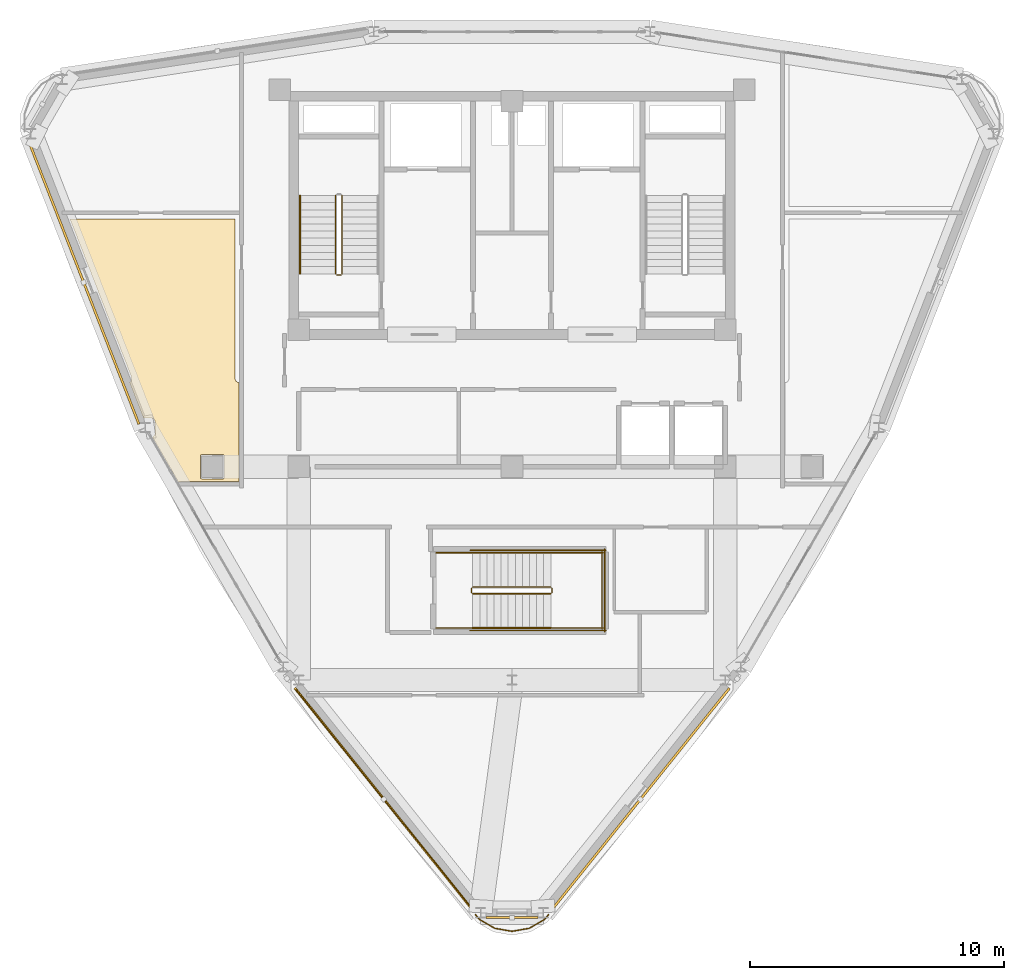
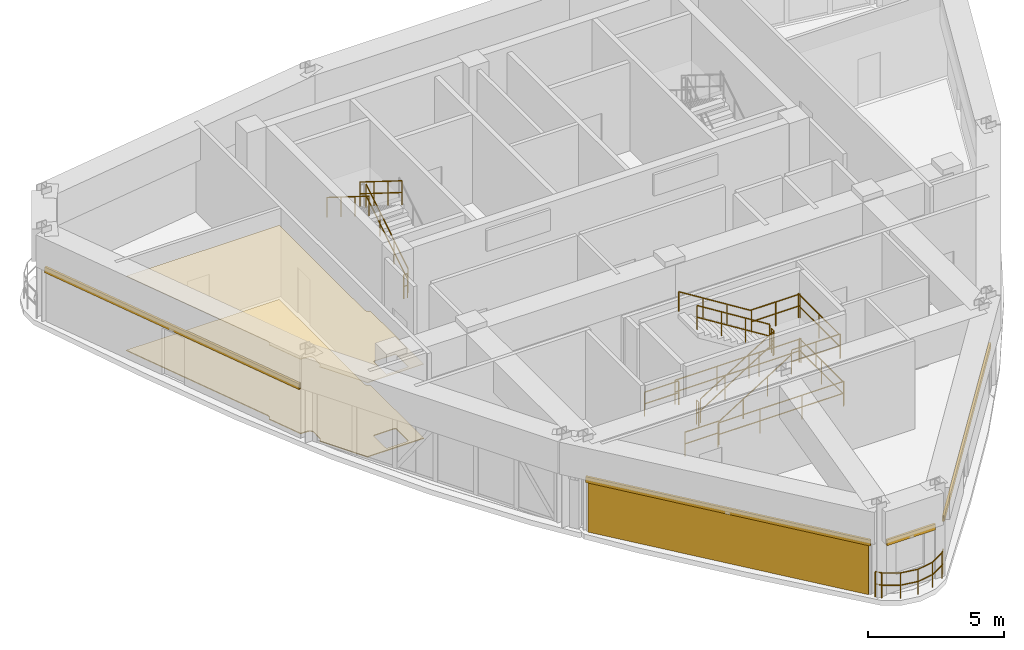
# One storey, part 15 of 16: 19 railings, 4 shading devices, 3 coverings.
"""IFC4 building model written with IfcOpenShell, lengths in metres."""

from ifc_helpers import new_model, si_unit, derived_unit, direction, frame, origin, origin_2d, place, context, subcontext, project, spatial, polyline, hollow_rectangle, circle, outline, extrude, source, transform, mapped, material, layer, layer_set, material_profile, profile_set, type_object, element, save


model = new_model("IFC4")

# Units and contexts
model_context = context("Model", 3, precision=1e-05, world=origin(), true_north=direction((0.0, 1.0)))
body_context = subcontext(model_context, "Body", "Model", "MODEL_VIEW")
ifc_project = project(units=[si_unit("LENGTHUNIT", "METRE"), si_unit("AREAUNIT", "SQUARE_METRE"), si_unit("VOLUMEUNIT", "CUBIC_METRE"), si_unit("PLANEANGLEUNIT", "RADIAN"), si_unit("MASSUNIT", "GRAM", prefix="KILO"), derived_unit("THERMALTRANSMITTANCEUNIT", [(si_unit("POWERUNIT", "WATT"), 1), (si_unit("LENGTHUNIT", "METRE"), -2), (si_unit("THERMODYNAMICTEMPERATUREUNIT", "KELVIN"), -1)])], contexts=[model_context])

# Site, building, storey
site_placement = place(None, origin())
site = spatial("IfcSite", under=ifc_project, at=site_placement, CompositionType="ELEMENT")
building_placement = place(site_placement, origin())
building = spatial("IfcBuilding", under=site, at=building_placement, Name="Korsvarv Bourse and Concert Hall", CompositionType="ELEMENT")
storey_placement = place(building_placement, frame((0.0, 0.0, 283.800048828125)))
storey = spatial("IfcBuildingStorey", under=building, at=storey_placement, Name="L74", CompositionType="ELEMENT", Elevation=283.800048828125)

# Coverings
ifc_material_1 = material(Name="Perforated mineral-wool and birch acoustic baffle ceiling", Category="wood")
ifc_layer_1 = layer(ifc_material_1, 0.02490234375)
ifc_layer_set_1 = layer_set([ifc_layer_1], Name="Perforated mineral-wool and birch acoustic baffle ceiling")
covering_type_1 = type_object("IfcCoveringType", Name="COV-CEIL-1", PredefinedType="CEILING", material=ifc_layer_set_1)
covering_1_placement = place(storey_placement, frame((0.0, 0.0, 3.33984375)))
element("IfcCovering", 1, at=covering_1_placement, inside=storey, type_object=covering_type_1, Name="L74 acoustic baffle ceiling 2", PredefinedType="CEILING", context=body_context, shape_type="SweptSolid", body=[
    extrude(outline(polyline([(20.936279296875, 35.723388671875), (20.965087890625, 35.7451171875), (20.9892578125, 35.771728515625), (21.007568359375, 35.802978515625), (21.019287109375, 35.8369140625), (21.02392578125, 35.872802734375), (21.021484375, 35.90869140625), (21.01171875, 35.943359375), (18.597412109375, 42.14990234375), (25.090087890625, 42.14990234375), (25.090087890625, 35.889892578125), (25.09375, 35.853759765625), (25.1044921875, 35.819091796875), (25.122314453125, 35.787109375), (25.14599609375, 35.759521484375), (25.1748046875, 35.7373046875), (25.20751953125, 35.72119140625), (25.24267578125, 35.712158203125), (25.25, 31.81005859375), (22.9375, 31.81005859375), (22.900634765625, 31.80615234375), (22.86669921875, 31.79541015625), (21.84033203125, 33.573486328125), (21.870849609375, 33.59326171875), (21.895751953125, 33.617431640625), (21.915283203125, 33.64599609375), (21.92919921875, 33.677978515625), (21.936767578125, 33.7119140625), (21.947998046875, 34.13818359375), (21.9453125, 34.17333984375), (21.93603515625, 34.20751953125), (21.920166015625, 34.239013671875), (21.8984375, 34.2666015625), (21.87158203125, 34.289794921875), (21.841064453125, 34.30712890625), (21.8076171875, 34.318115234375), (21.7724609375, 34.322509765625), (21.480712890625, 34.32958984375), (20.936279296875, 35.723388671875)]), holes=[polyline([(23.76513671875, 31.926025390625), (24.625, 31.925048828125), (24.648681640625, 31.930908203125), (24.66650390625, 31.947265625), (24.6748046875, 31.97021484375), (24.675048828125, 32.824951171875), (24.669189453125, 32.8486328125), (24.65283203125, 32.86669921875), (24.6298828125, 32.874755859375), (23.77490234375, 32.875), (23.75146484375, 32.869140625), (23.7333984375, 32.852783203125), (23.72509765625, 32.829833984375), (23.72509765625, 31.97509765625), (23.73095703125, 31.951416015625), (23.76513671875, 31.926025390625)])]), origin(), (0.0, 0.0, 1.0), 0.025146484375),
])
ifc_material_2 = material(Name="Warm iron-oxide extruded terracotta rainscreen tile", Category="ceramic")
ifc_layer_2 = layer(ifc_material_2, 0.044921875)
ifc_layer_set_2 = layer_set([ifc_layer_2], Name="Warm iron-oxide extruded terracotta rainscreen tile")
covering_type_2 = type_object("IfcCoveringType", Name="COV-CLD-TC", PredefinedType="CLADDING", material=ifc_layer_set_2)
covering_2_placement = place(storey_placement, origin())
element("IfcCovering", 2, at=covering_2_placement, inside=storey, type_object=covering_type_2, Name="L74 fluted terracotta cladding panel EW-L74-B08-2", PredefinedType="CLADDING", context=body_context, shape_type="SweptSolid", body=[
    extrude(outline(polyline([(27.52392578125, 23.648681640625), (34.445556640625, 15.015380859375), (34.410400390625, 14.9873046875), (27.48876953125, 23.62060546875), (27.52392578125, 23.648681640625)])), origin(), (0.0, 0.0, 1.0), 2.199951171875),
])
ifc_material_3 = material(Name="Calcium-sulphate raised access trading floor with Nordic oak top", Category="wood")
ifc_layer_3 = layer(ifc_material_3, 0.0400390625)
ifc_layer_set_3 = layer_set([ifc_layer_3], Name="Calcium-sulphate raised access trading floor with Nordic oak top")
covering_type_3 = type_object("IfcCoveringType", Name="COV-FLOR-1", PredefinedType="FLOORING", material=ifc_layer_set_3)
covering_3_placement = place(storey_placement, origin())
element("IfcCovering", 3, at=covering_3_placement, inside=storey, type_object=covering_type_3, Name="L74 raised access oak floor finish 2", PredefinedType="FLOORING", context=body_context, shape_type="SweptSolid", body=[
    extrude(outline(polyline([(20.936279296875, 35.723388671875), (20.965087890625, 35.7451171875), (20.9892578125, 35.771728515625), (21.007568359375, 35.802978515625), (21.019287109375, 35.8369140625), (21.02392578125, 35.872802734375), (21.021484375, 35.90869140625), (21.01171875, 35.943359375), (18.597412109375, 42.14990234375), (25.090087890625, 42.14990234375), (25.090087890625, 35.889892578125), (25.09375, 35.853759765625), (25.1044921875, 35.819091796875), (25.122314453125, 35.787109375), (25.14599609375, 35.759521484375), (25.1748046875, 35.7373046875), (25.20751953125, 35.72119140625), (25.24267578125, 35.712158203125), (25.25, 31.81005859375), (22.9375, 31.81005859375), (22.900634765625, 31.80615234375), (22.86669921875, 31.79541015625), (21.84033203125, 33.573486328125), (21.870849609375, 33.59326171875), (21.895751953125, 33.617431640625), (21.915283203125, 33.64599609375), (21.92919921875, 33.677978515625), (21.936767578125, 33.7119140625), (21.947998046875, 34.13818359375), (21.9453125, 34.17333984375), (21.93603515625, 34.20751953125), (21.920166015625, 34.239013671875), (21.8984375, 34.2666015625), (21.87158203125, 34.289794921875), (21.841064453125, 34.30712890625), (21.8076171875, 34.318115234375), (21.7724609375, 34.322509765625), (21.480712890625, 34.32958984375), (20.936279296875, 35.723388671875)]), holes=[polyline([(23.76513671875, 31.926025390625), (24.625, 31.925048828125), (24.648681640625, 31.930908203125), (24.66650390625, 31.947265625), (24.6748046875, 31.97021484375), (24.675048828125, 32.824951171875), (24.669189453125, 32.8486328125), (24.65283203125, 32.86669921875), (24.6298828125, 32.874755859375), (23.77490234375, 32.875), (23.75146484375, 32.869140625), (23.7333984375, 32.852783203125), (23.72509765625, 32.829833984375), (23.72509765625, 31.97509765625), (23.73095703125, 31.951416015625), (23.76513671875, 31.926025390625)])]), origin(), (0.0, 0.0, 1.0), 0.0400390625),
])

# Railings
ifc_material_4 = material(Name="Laminated safety glass and stainless Steel S355 balustrade", Category="steel")
railing_type_1 = type_object("IfcRailingType", Name="RL-BAL-EXT", PredefinedType="BALUSTRADE", material=ifc_material_4)
railing_1_placement = place(storey_placement, frame((37.438720703125, 14.76123046875, 0.0)))
element("IfcRailing", 4, at=railing_1_placement, inside=storey, type_object=railing_type_1, Name="L74 terrace perimeter balustrade SKYG3-1", PredefinedType="BALUSTRADE", context=body_context, shape_type="SweptSolid", body=[
    extrude(circle(Radius=0.02392578125, at=origin_2d()), frame((0.0, 0.0, 1.1259765625), z_axis=(-0.643509750887, -0.765437914212, 0.0), x_axis=(0.765437914212, -0.643509750887, 0.0)), (0.0, 0.0, 1.0), 0.252197265625),
    extrude(circle(Radius=0.02392578125, at=origin_2d()), frame((0.0, 0.0, 0.574951171875), z_axis=(-0.643509750887, -0.765437914212, 0.0), x_axis=(0.765437914212, -0.643509750887, 0.0)), (0.0, 0.0, 1.0), 0.252197265625),
    extrude(circle(Radius=0.02392578125, at=origin_2d()), frame((-0.162353515625, -0.193115234375, 1.1259765625), z_axis=(-0.865902555512, -0.500212719108, 0.0), x_axis=(0.500212719108, -0.865902555512, 0.0)), (0.0, 0.0, 1.0), 0.689697265625),
    extrude(circle(Radius=0.02392578125, at=origin_2d()), frame((-0.162353515625, -0.193115234375, 0.574951171875), z_axis=(-0.865902555512, -0.500212719108, 0.0), x_axis=(0.500212719108, -0.865902555512, 0.0)), (0.0, 0.0, 1.0), 0.689697265625),
    extrude(circle(Radius=0.02392578125, at=origin_2d()), frame((-0.759521484375, -0.5380859375, 1.1259765625), z_axis=(-0.984840526668, -0.173462206351, 0.0), x_axis=(0.173462206351, -0.984840526668, 0.0)), (0.0, 0.0, 1.0), 0.689697265625),
    extrude(circle(Radius=0.02392578125, at=origin_2d()), frame((-0.759521484375, -0.5380859375, 0.574951171875), z_axis=(-0.984840526668, -0.173462206351, 0.0), x_axis=(0.173462206351, -0.984840526668, 0.0)), (0.0, 0.0, 1.0), 0.689697265625),
    extrude(circle(Radius=0.02392578125, at=origin_2d()), frame((-1.438720703125, -0.65771484375, 1.1259765625), z_axis=(-0.984840526668, 0.173462206351, 0.0), x_axis=(-0.173462206351, -0.984840526668, 0.0)), (0.0, 0.0, 1.0), 0.689697265625),
    extrude(circle(Radius=0.02392578125, at=origin_2d()), frame((-1.438720703125, -0.65771484375, 0.574951171875), z_axis=(-0.984840526668, 0.173462206351, 0.0), x_axis=(-0.173462206351, -0.984840526668, 0.0)), (0.0, 0.0, 1.0), 0.689697265625),
    extrude(circle(Radius=0.02392578125, at=origin_2d()), frame((-2.117919921875, -0.5380859375, 1.1259765625), z_axis=(-0.865902555512, 0.500212719108, 0.0), x_axis=(-0.500212719108, -0.865902555512, 0.0)), (0.0, 0.0, 1.0), 0.689697265625),
    extrude(circle(Radius=0.02392578125, at=origin_2d()), frame((-2.117919921875, -0.5380859375, 0.574951171875), z_axis=(-0.865902555512, 0.500212719108, 0.0), x_axis=(-0.500212719108, -0.865902555512, 0.0)), (0.0, 0.0, 1.0), 0.689697265625),
    extrude(circle(Radius=0.02392578125, at=origin_2d()), frame((-2.715087890625, -0.193115234375, 1.1259765625), z_axis=(-0.643509750887, 0.765437914212, 0.0), x_axis=(-0.765437914212, -0.643509750887, 0.0)), (0.0, 0.0, 1.0), 0.252197265625),
    extrude(circle(Radius=0.02392578125, at=origin_2d()), frame((-2.715087890625, -0.193115234375, 0.574951171875), z_axis=(-0.643509750887, 0.765437914212, 0.0), x_axis=(-0.765437914212, -0.643509750887, 0.0)), (0.0, 0.0, 1.0), 0.252197265625),
    extrude(circle(Radius=0.02099609375, at=origin_2d()), origin(), (0.0, 0.0, 1.0), 1.101806640625),
    extrude(circle(Radius=0.02099609375, at=origin_2d()), frame((-0.162353515625, -0.193115234375, 0.0)), (0.0, 0.0, 1.0), 1.101806640625),
    extrude(circle(Radius=0.02099609375, at=origin_2d()), frame((-0.759521484375, -0.5380859375, 0.0)), (0.0, 0.0, 1.0), 1.101806640625),
    extrude(circle(Radius=0.02099609375, at=origin_2d()), frame((-1.438720703125, -0.65771484375, 0.0)), (0.0, 0.0, 1.0), 1.101806640625),
    extrude(circle(Radius=0.02099609375, at=origin_2d()), frame((-2.117919921875, -0.5380859375, 0.0)), (0.0, 0.0, 1.0), 1.101806640625),
    extrude(circle(Radius=0.02099609375, at=origin_2d()), frame((-2.715087890625, -0.193115234375, 0.0)), (0.0, 0.0, 1.0), 1.101806640625),
    extrude(circle(Radius=0.02099609375, at=origin_2d()), frame((-2.87744140625, 0.0, 0.0)), (0.0, 0.0, 1.0), 1.101806640625),
])
ifc_material_5 = material(Name="Painted Steel S355 stair well guardrail", Category="steel")
railing_type_2 = type_object("IfcRailingType", Name="RL-ST-GRD", PredefinedType="GUARDRAIL", material=ifc_material_5)
railing_2_placement = place(storey_placement, frame((29.31005859375, 40.0, 0.175048828125)))
element("IfcRailing", 5, at=railing_2_placement, inside=storey, type_object=railing_type_2, Name="L74 ST-T1 stair guard 1", PredefinedType="GUARDRAIL", context=body_context, shape_type="SweptSolid", body=[
    extrude(circle(Radius=0.02392578125, at=origin_2d()), frame((0.0, 0.0, 1.076171875), z_axis=(0.0, 0.848028513186, 0.529950602248), x_axis=(-1.0, 0.0, 0.0)), (0.0, 0.0, 1.0), 3.632080078125),
    extrude(circle(Radius=0.02392578125, at=origin_2d()), frame((0.0, 0.0, 0.550048828125), z_axis=(0.0, 0.848028513186, 0.529950602248), x_axis=(-1.0, 0.0, 0.0)), (0.0, 0.0, 1.0), 3.632080078125),
    extrude(circle(Radius=0.02099609375, at=origin_2d()), origin(), (0.0, 0.0, 1.0), 1.052001953125),
    extrude(circle(Radius=0.02099609375, at=origin_2d()), frame((0.0, 1.026611328125, 0.6416015625)), (0.0, 0.0, 1.0), 1.052001953125),
    extrude(circle(Radius=0.02099609375, at=origin_2d()), frame((0.0, 2.053466796875, 1.283203125)), (0.0, 0.0, 1.0), 1.052001953125),
    extrude(circle(Radius=0.02099609375, at=origin_2d()), frame((0.0, 3.080078125, 1.9248046875)), (0.0, 0.0, 1.0), 1.052001953125),
])
railing_3_placement = place(storey_placement, frame((29.050048828125, 43.080078125, 2.27490234375)))
element("IfcRailing", 6, at=railing_3_placement, inside=storey, type_object=railing_type_2, Name="L74 ST-T1 stair guard 3", PredefinedType="GUARDRAIL", context=body_context, shape_type="SweptSolid", body=[
    extrude(circle(Radius=0.02392578125, at=origin_2d()), frame((0.0, 0.0, 1.076171875), z_axis=(0.0, -0.847998304005, 0.529998940003), x_axis=(1.0, 0.0, 0.0)), (0.0, 0.0, 1.0), 3.632080078125),
    extrude(circle(Radius=0.02392578125, at=origin_2d()), frame((0.0, 0.0, 0.550048828125), z_axis=(0.0, -0.847998304005, 0.529998940003), x_axis=(1.0, 0.0, 0.0)), (0.0, 0.0, 1.0), 3.632080078125),
    extrude(circle(Radius=0.02099609375, at=origin_2d()), origin(), (0.0, 0.0, 1.0), 1.052001953125),
    extrude(circle(Radius=0.02099609375, at=origin_2d()), frame((0.0, -1.026611328125, 0.6416015625)), (0.0, 0.0, 1.0), 1.052001953125),
    extrude(circle(Radius=0.02099609375, at=origin_2d()), frame((0.0, -2.053466796875, 1.283447265625)), (0.0, 0.0, 1.0), 1.052001953125),
    extrude(circle(Radius=0.02099609375, at=origin_2d()), frame((0.0, -3.080078125, 1.925048828125)), (0.0, 0.0, 1.0), 1.052001953125),
])
railing_4_placement = place(storey_placement, frame((29.260009765625, 39.949951171875, 0.0)))
element("IfcRailing", 7, at=railing_4_placement, inside=storey, type_object=railing_type_2, Name="L74 ST-T1 stair guard 4", PredefinedType="GUARDRAIL", context=body_context, shape_type="SweptSolid", body=[
    extrude(circle(Radius=0.02392578125, at=origin_2d()), frame((0.0, 0.0, 1.076171875), z_axis=(-1.0, 0.0, 0.0), x_axis=(0.0, -1.0, 0.0)), (0.0, 0.0, 1.0), 0.159912109375),
    extrude(circle(Radius=0.02392578125, at=origin_2d()), frame((0.0, 0.0, 0.550048828125), z_axis=(-1.0, 0.0, 0.0), x_axis=(0.0, -1.0, 0.0)), (0.0, 0.0, 1.0), 0.159912109375),
    extrude(circle(Radius=0.02099609375, at=origin_2d()), origin(), (0.0, 0.0, 1.0), 1.052001953125),
    extrude(circle(Radius=0.02099609375, at=origin_2d()), frame((-0.159912109375, 0.0, 0.0)), (0.0, 0.0, 1.0), 1.052001953125),
])
railing_5_placement = place(storey_placement, frame((34.449951171875, 27.39990234375, 0.175048828125)))
element("IfcRailing", 8, at=railing_5_placement, inside=storey, type_object=railing_type_2, Name="L74 ST-LK1 stair guard 1", PredefinedType="GUARDRAIL", context=body_context, shape_type="SweptSolid", body=[
    extrude(circle(Radius=0.02392578125, at=origin_2d()), frame((0.0, 0.0, 1.076171875), z_axis=(0.848028513186, 0.0, 0.529950602248), x_axis=(0.0, 1.0, 0.0)), (0.0, 0.0, 1.0), 3.632080078125),
    extrude(circle(Radius=0.02392578125, at=origin_2d()), frame((0.0, 0.0, 0.550048828125), z_axis=(0.848028513186, 0.0, 0.529950602248), x_axis=(0.0, 1.0, 0.0)), (0.0, 0.0, 1.0), 3.632080078125),
    extrude(circle(Radius=0.02099609375, at=origin_2d()), origin(), (0.0, 0.0, 1.0), 1.052001953125),
    extrude(circle(Radius=0.02099609375, at=origin_2d()), frame((1.026611328125, 0.0, 0.6416015625)), (0.0, 0.0, 1.0), 1.052001953125),
    extrude(circle(Radius=0.02099609375, at=origin_2d()), frame((2.053466796875, 0.0, 1.283203125)), (0.0, 0.0, 1.0), 1.052001953125),
    extrude(circle(Radius=0.02099609375, at=origin_2d()), frame((3.080078125, 0.0, 1.9248046875)), (0.0, 0.0, 1.0), 1.052001953125),
])
railing_6_placement = place(storey_placement, frame((37.580078125, 27.449951171875, 2.099853515625)))
element("IfcRailing", 9, at=railing_6_placement, inside=storey, type_object=railing_type_2, Name="L74 ST-LK1 stair guard 2", PredefinedType="GUARDRAIL", context=body_context, shape_type="SweptSolid", body=[
    extrude(circle(Radius=0.02392578125, at=origin_2d()), frame((0.0, 0.0, 1.076171875), z_axis=(0.0, 1.0, 0.0), x_axis=(-1.0, 0.0, 0.0)), (0.0, 0.0, 1.0), 0.16015625),
    extrude(circle(Radius=0.02392578125, at=origin_2d()), frame((0.0, 0.0, 0.550048828125), z_axis=(0.0, 1.0, 0.0), x_axis=(-1.0, 0.0, 0.0)), (0.0, 0.0, 1.0), 0.16015625),
    extrude(circle(Radius=0.02099609375, at=origin_2d()), origin(), (0.0, 0.0, 1.0), 1.052001953125),
    extrude(circle(Radius=0.02099609375, at=origin_2d()), frame((0.0, 0.16015625, 0.0)), (0.0, 0.0, 1.0), 1.052001953125),
])
for number, where, name in (
    (10, (37.530029296875, 26.050048828125, 2.099853515625), "L74 ST-LK1 stair guard 3"),
    (11, (37.530029296875, 29.010009765625, 2.099853515625), "L74 ST-LK1 stair guard 4"),
):
    element("IfcRailing", number, at=place(storey_placement, frame(where)), inside=storey, type_object=railing_type_2, Name=name, PredefinedType="GUARDRAIL", context=body_context, shape_type="SweptSolid", body=[
        extrude(circle(Radius=0.02392578125, at=origin_2d()), frame((0.0, 0.0, 1.076171875), z_axis=(1.0, 0.0, 0.0), x_axis=(0.0, 1.0, 0.0)), (0.0, 0.0, 1.0), 2.070068359375),
        extrude(circle(Radius=0.02392578125, at=origin_2d()), frame((0.0, 0.0, 0.550048828125), z_axis=(1.0, 0.0, 0.0), x_axis=(0.0, 1.0, 0.0)), (0.0, 0.0, 1.0), 2.070068359375),
        extrude(circle(Radius=0.02099609375, at=origin_2d()), origin(), (0.0, 0.0, 1.0), 1.052001953125),
        extrude(circle(Radius=0.02099609375, at=origin_2d()), frame((1.03515625, 0.0, 0.0)), (0.0, 0.0, 1.0), 1.052001953125),
        extrude(circle(Radius=0.02099609375, at=origin_2d()), frame((2.070068359375, 0.0, 0.0)), (0.0, 0.0, 1.0), 1.052001953125),
    ])
railing_7_placement = place(storey_placement, frame((39.550048828125, 26.0, 2.099853515625)))
element("IfcRailing", 12, at=railing_7_placement, inside=storey, type_object=railing_type_2, Name="L74 ST-LK1 stair guard 5", PredefinedType="GUARDRAIL", context=body_context, shape_type="SweptSolid", body=[
    extrude(circle(Radius=0.02392578125, at=origin_2d()), frame((0.0, 0.0, 1.076171875), z_axis=(0.0, 1.0, 0.0), x_axis=(-1.0, 0.0, 0.0)), (0.0, 0.0, 1.0), 3.06005859375),
    extrude(circle(Radius=0.02392578125, at=origin_2d()), frame((0.0, 0.0, 0.550048828125), z_axis=(0.0, 1.0, 0.0), x_axis=(-1.0, 0.0, 0.0)), (0.0, 0.0, 1.0), 3.06005859375),
    extrude(circle(Radius=0.02099609375, at=origin_2d()), origin(), (0.0, 0.0, 1.0), 1.052001953125),
    extrude(circle(Radius=0.02099609375, at=origin_2d()), frame((0.0, 1.530029296875, 0.0)), (0.0, 0.0, 1.0), 1.052001953125),
    extrude(circle(Radius=0.02099609375, at=origin_2d()), frame((0.0, 3.06005859375, 0.0)), (0.0, 0.0, 1.0), 1.052001953125),
])
railing_8_placement = place(storey_placement, frame((37.530029296875, 27.659912109375, 2.27490234375)))
element("IfcRailing", 13, at=railing_8_placement, inside=storey, type_object=railing_type_2, Name="L74 ST-LK1 stair guard 6", PredefinedType="GUARDRAIL", context=body_context, shape_type="SweptSolid", body=[
    extrude(circle(Radius=0.02392578125, at=origin_2d()), frame((0.0, 0.0, 1.076171875), z_axis=(-0.847998304005, 0.0, 0.529998940003), x_axis=(0.0, -1.0, 0.0)), (0.0, 0.0, 1.0), 3.632080078125),
    extrude(circle(Radius=0.02392578125, at=origin_2d()), frame((0.0, 0.0, 0.550048828125), z_axis=(-0.847998304005, 0.0, 0.529998940003), x_axis=(0.0, -1.0, 0.0)), (0.0, 0.0, 1.0), 3.632080078125),
    extrude(circle(Radius=0.02099609375, at=origin_2d()), origin(), (0.0, 0.0, 1.0), 1.052001953125),
    extrude(circle(Radius=0.02099609375, at=origin_2d()), frame((-1.026611328125, 0.0, 0.6416015625)), (0.0, 0.0, 1.0), 1.052001953125),
    extrude(circle(Radius=0.02099609375, at=origin_2d()), frame((-2.053466796875, 0.0, 1.283447265625)), (0.0, 0.0, 1.0), 1.052001953125),
    extrude(circle(Radius=0.02099609375, at=origin_2d()), frame((-3.080078125, 0.0, 1.925048828125)), (0.0, 0.0, 1.0), 1.052001953125),
])
railing_9_placement = place(storey_placement, frame((34.39990234375, 27.449951171875, 0.0)))
element("IfcRailing", 14, at=railing_9_placement, inside=storey, type_object=railing_type_2, Name="L74 ST-LK1 stair guard 7", PredefinedType="GUARDRAIL", context=body_context, shape_type="SweptSolid", body=[
    extrude(circle(Radius=0.02392578125, at=origin_2d()), frame((0.0, 0.0, 1.076171875), z_axis=(0.0, 1.0, 0.0), x_axis=(-1.0, 0.0, 0.0)), (0.0, 0.0, 1.0), 0.16015625),
    extrude(circle(Radius=0.02392578125, at=origin_2d()), frame((0.0, 0.0, 0.550048828125), z_axis=(0.0, 1.0, 0.0), x_axis=(-1.0, 0.0, 0.0)), (0.0, 0.0, 1.0), 0.16015625),
    extrude(circle(Radius=0.02099609375, at=origin_2d()), origin(), (0.0, 0.0, 1.0), 1.052001953125),
    extrude(circle(Radius=0.02099609375, at=origin_2d()), frame((0.0, 0.16015625, 0.0)), (0.0, 0.0, 1.0), 1.052001953125),
])
for number, where, name in (
    (15, (33.0, 26.050048828125, 0.0), "L74 ST-LK1 stair guard 8"),
    (16, (33.0, 29.010009765625, 0.0), "L74 ST-LK1 stair guard 9"),
):
    element("IfcRailing", number, at=place(storey_placement, frame(where)), inside=storey, type_object=railing_type_2, Name=name, PredefinedType="GUARDRAIL", context=body_context, shape_type="SweptSolid", body=[
        extrude(circle(Radius=0.02392578125, at=origin_2d()), frame((0.0, 0.0, 1.076171875), z_axis=(1.0, 0.0, 0.0), x_axis=(0.0, 1.0, 0.0)), (0.0, 0.0, 1.0), 1.449951171875),
        extrude(circle(Radius=0.02392578125, at=origin_2d()), frame((0.0, 0.0, 0.550048828125), z_axis=(1.0, 0.0, 0.0), x_axis=(0.0, 1.0, 0.0)), (0.0, 0.0, 1.0), 1.449951171875),
        extrude(circle(Radius=0.02099609375, at=origin_2d()), origin(), (0.0, 0.0, 1.0), 1.052001953125),
        extrude(circle(Radius=0.02099609375, at=origin_2d()), frame((1.449951171875, 0.0, 0.0)), (0.0, 0.0, 1.0), 1.052001953125),
    ])
for number, where, name in (
    (17, (34.35009765625, 25.949951171875, 0.0), "L74 ST-LK1 stair guard 10"),
    (18, (34.35009765625, 29.110107421875, 0.0), "L74 ST-LK1 stair guard 11"),
):
    element("IfcRailing", number, at=place(storey_placement, frame(where)), inside=storey, type_object=railing_type_2, Name=name, PredefinedType="GUARDRAIL", context=body_context, shape_type="SweptSolid", body=[
        extrude(circle(Radius=0.02392578125, at=origin_2d()), frame((0.0, 0.0, 1.076171875), z_axis=(1.0, 0.0, 0.0), x_axis=(0.0, 1.0, 0.0)), (0.0, 0.0, 1.0), 5.349853515625),
        extrude(circle(Radius=0.02392578125, at=origin_2d()), frame((0.0, 0.0, 0.550048828125), z_axis=(1.0, 0.0, 0.0), x_axis=(0.0, 1.0, 0.0)), (0.0, 0.0, 1.0), 5.349853515625),
        extrude(circle(Radius=0.02099609375, at=origin_2d()), origin(), (0.0, 0.0, 1.0), 1.052001953125),
        extrude(circle(Radius=0.02099609375, at=origin_2d()), frame((1.783203125, 0.0, 0.0)), (0.0, 0.0, 1.0), 1.052001953125),
        extrude(circle(Radius=0.02099609375, at=origin_2d()), frame((3.566650390625, 0.0, 0.0)), (0.0, 0.0, 1.0), 1.052001953125),
        extrude(circle(Radius=0.02099609375, at=origin_2d()), frame((5.349853515625, 0.0, 0.0)), (0.0, 0.0, 1.0), 1.052001953125),
    ])
railing_10_placement = place(storey_placement, frame((39.64990234375, 25.89990234375, 0.0)))
element("IfcRailing", 19, at=railing_10_placement, inside=storey, type_object=railing_type_2, Name="L74 ST-LK1 stair guard 12", PredefinedType="GUARDRAIL", context=body_context, shape_type="SweptSolid", body=[
    extrude(circle(Radius=0.02392578125, at=origin_2d()), frame((0.0, 0.0, 1.076171875), z_axis=(0.0, 1.0, 0.0), x_axis=(-1.0, 0.0, 0.0)), (0.0, 0.0, 1.0), 3.260009765625),
    extrude(circle(Radius=0.02392578125, at=origin_2d()), frame((0.0, 0.0, 0.550048828125), z_axis=(0.0, 1.0, 0.0), x_axis=(-1.0, 0.0, 0.0)), (0.0, 0.0, 1.0), 3.260009765625),
    extrude(circle(Radius=0.02099609375, at=origin_2d()), origin(), (0.0, 0.0, 1.0), 1.052001953125),
    extrude(circle(Radius=0.02099609375, at=origin_2d()), frame((0.0, 1.6298828125, 0.0)), (0.0, 0.0, 1.0), 1.052001953125),
    extrude(circle(Radius=0.02099609375, at=origin_2d()), frame((0.0, 3.260009765625, 0.0)), (0.0, 0.0, 1.0), 1.052001953125),
])
ifc_material_6 = material(Name="Brushed stainless Steel S355 tubular handrail", Category="steel")
railing_type_3 = type_object("IfcRailingType", Name="RL-ST-HND", PredefinedType="HANDRAIL", material=ifc_material_6)
railing_11_placement = place(storey_placement, frame((27.64990234375, 43.080078125, 2.27490234375)))
element("IfcRailing", 20, at=railing_11_placement, inside=storey, type_object=railing_type_3, Name="L74 ST-T1 stair handrail 2", PredefinedType="HANDRAIL", context=body_context, shape_type="SweptSolid", body=[
    extrude(circle(Radius=0.02392578125, at=origin_2d()), frame((0.0, 0.0, 0.8759765625), z_axis=(0.0, -0.847998304005, 0.529998940003), x_axis=(1.0, 0.0, 0.0)), (0.0, 0.0, 1.0), 3.632080078125),
    extrude(circle(Radius=0.02099609375, at=origin_2d()), origin(), (0.0, 0.0, 1.0), 0.851806640625),
    extrude(circle(Radius=0.02099609375, at=origin_2d()), frame((0.0, -1.026611328125, 0.6416015625)), (0.0, 0.0, 1.0), 0.851806640625),
    extrude(circle(Radius=0.02099609375, at=origin_2d()), frame((0.0, -2.053466796875, 1.283447265625)), (0.0, 0.0, 1.0), 0.851806640625),
    extrude(circle(Radius=0.02099609375, at=origin_2d()), frame((0.0, -3.080078125, 1.925048828125)), (0.0, 0.0, 1.0), 0.851806640625),
])
railing_12_placement = place(storey_placement, frame((34.449951171875, 26.050048828125, 0.175048828125)))
element("IfcRailing", 21, at=railing_12_placement, inside=storey, type_object=railing_type_3, Name="L74 ST-LK1 stair handrail 1", PredefinedType="HANDRAIL", context=body_context, shape_type="SweptSolid", body=[
    extrude(circle(Radius=0.02392578125, at=origin_2d()), frame((0.0, 0.0, 0.8759765625), z_axis=(0.848028513186, 0.0, 0.529950602248), x_axis=(0.0, 1.0, 0.0)), (0.0, 0.0, 1.0), 3.632080078125),
    extrude(circle(Radius=0.02099609375, at=origin_2d()), origin(), (0.0, 0.0, 1.0), 0.851806640625),
    extrude(circle(Radius=0.02099609375, at=origin_2d()), frame((1.026611328125, 0.0, 0.6416015625)), (0.0, 0.0, 1.0), 0.851806640625),
    extrude(circle(Radius=0.02099609375, at=origin_2d()), frame((2.053466796875, 0.0, 1.283203125)), (0.0, 0.0, 1.0), 0.851806640625),
    extrude(circle(Radius=0.02099609375, at=origin_2d()), frame((3.080078125, 0.0, 1.9248046875)), (0.0, 0.0, 1.0), 0.851806640625),
])
railing_13_placement = place(storey_placement, frame((37.530029296875, 29.010009765625, 2.27490234375)))
element("IfcRailing", 22, at=railing_13_placement, inside=storey, type_object=railing_type_3, Name="L74 ST-LK1 stair handrail 2", PredefinedType="HANDRAIL", context=body_context, shape_type="SweptSolid", body=[
    extrude(circle(Radius=0.02392578125, at=origin_2d()), frame((0.0, 0.0, 0.8759765625), z_axis=(-0.847998304005, 0.0, 0.529998940003), x_axis=(0.0, -1.0, 0.0)), (0.0, 0.0, 1.0), 3.632080078125),
    extrude(circle(Radius=0.02099609375, at=origin_2d()), origin(), (0.0, 0.0, 1.0), 0.851806640625),
    extrude(circle(Radius=0.02099609375, at=origin_2d()), frame((-1.026611328125, 0.0, 0.6416015625)), (0.0, 0.0, 1.0), 0.851806640625),
    extrude(circle(Radius=0.02099609375, at=origin_2d()), frame((-2.053466796875, 0.0, 1.283447265625)), (0.0, 0.0, 1.0), 0.851806640625),
    extrude(circle(Radius=0.02099609375, at=origin_2d()), frame((-3.080078125, 0.0, 1.925048828125)), (0.0, 0.0, 1.0), 0.851806640625),
])

# Shading devices
ifc_material_7 = material(Name="Glazed extruded architectural terracotta", Category="ceramic")
ifc_material_profile = material_profile(ifc_material_7, hollow_rectangle(XDim=0.090087890625, YDim=0.260009765625, WallThickness=0.011962890625, at=origin_2d()), Name="TC-BAG 90x260")
ifc_profile_set = profile_set([ifc_material_profile], Name="Glazed extruded architectural terracotta")
shading_device_type = type_object("IfcShadingDeviceType", Name="SHD-BAG-1", PredefinedType="USERDEFINED", material=ifc_profile_set)
shared_shape_1 = source(origin(), body_context, "Body", "SweptSolid", [
    extrude(hollow_rectangle(XDim=0.090087890625, YDim=0.260009765625, WallThickness=0.011962890625, at=origin_2d()), origin(), (0.0, 0.0, 1.0), 11.978515625),
])
shading_device_1_placement = place(storey_placement, frame((16.95849609375, 45.242431640625, 2.35986328125), z_axis=(0.362913406034, -0.931822869284, 0.0), x_axis=(0.931822869284, 0.362913406034, 0.0)))
element("IfcShadingDevice", 23, at=shading_device_1_placement, inside=storey, type_object=shading_device_type, Name="L74 terracotta baguette sunshade EW-L74-B06", ObjectType="BAGUETTE", PredefinedType="USERDEFINED", context=body_context, shape_type="MappedRepresentation", body=[
    mapped(shared_shape_1, transform((0.0, 0.0, 0.0), scale=1.0)),
])
shared_shape_2 = source(origin(), body_context, "Body", "SweptSolid", [
    extrude(hollow_rectangle(XDim=0.090087890625, YDim=0.260009765625, WallThickness=0.011962890625, at=origin_2d()), origin(), (0.0, 0.0, 1.0), 11.2255859375),
])
for number, where, z_axis, x_axis, name in (
    (24, (27.442626953125, 23.68603515625, 2.35986328125), (0.625538111049, -0.780193611628, 0.0), (0.780193611628, 0.625538111049, 0.0), "L74 terracotta baguette sunshade EW-L74-B08-2"),
    (25, (37.543212890625, 14.921630859375, 2.35986328125), (0.625538111049, 0.780193611628, 0.0), (-0.780193611628, 0.625538111049, 0.0), "L74 terracotta baguette sunshade EW-L74-B10-1"),
):
    element("IfcShadingDevice", number, at=place(storey_placement, frame(where, z_axis=z_axis, x_axis=x_axis)), inside=storey, type_object=shading_device_type, Name=name, ObjectType="BAGUETTE", PredefinedType="USERDEFINED", context=body_context, shape_type="MappedRepresentation", body=[
        mapped(shared_shape_2, transform((0.0, 0.0, 0.0), scale=1.0)),
    ])
shared_shape_3 = source(origin(), body_context, "Body", "SweptSolid", [
    extrude(hollow_rectangle(XDim=0.090087890625, YDim=0.260009765625, WallThickness=0.011962890625, at=origin_2d()), origin(), (0.0, 0.0, 1.0), 2.05908203125),
])
shading_device_2_placement = place(storey_placement, frame((34.970458984375, 14.64794921875, 2.35986328125), z_axis=(1.0, 0.0, 0.0), x_axis=(0.0, 1.0, 0.0)))
element("IfcShadingDevice", 26, at=shading_device_2_placement, inside=storey, type_object=shading_device_type, Name="L74 terracotta baguette sunshade EW-L74-B09", ObjectType="BAGUETTE", PredefinedType="USERDEFINED", context=body_context, shape_type="MappedRepresentation", body=[
    mapped(shared_shape_3, transform((0.0, 0.0, 0.0), scale=1.0)),
])

save(model, "model.ifc")
